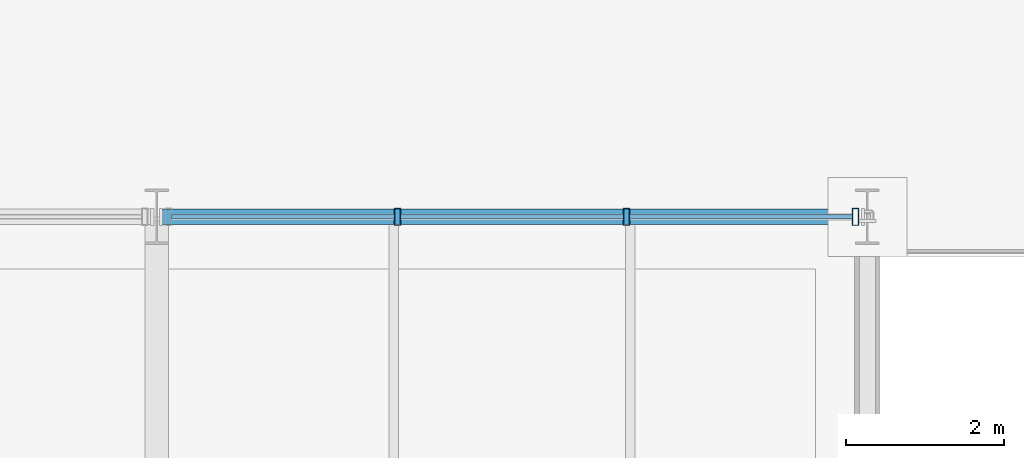
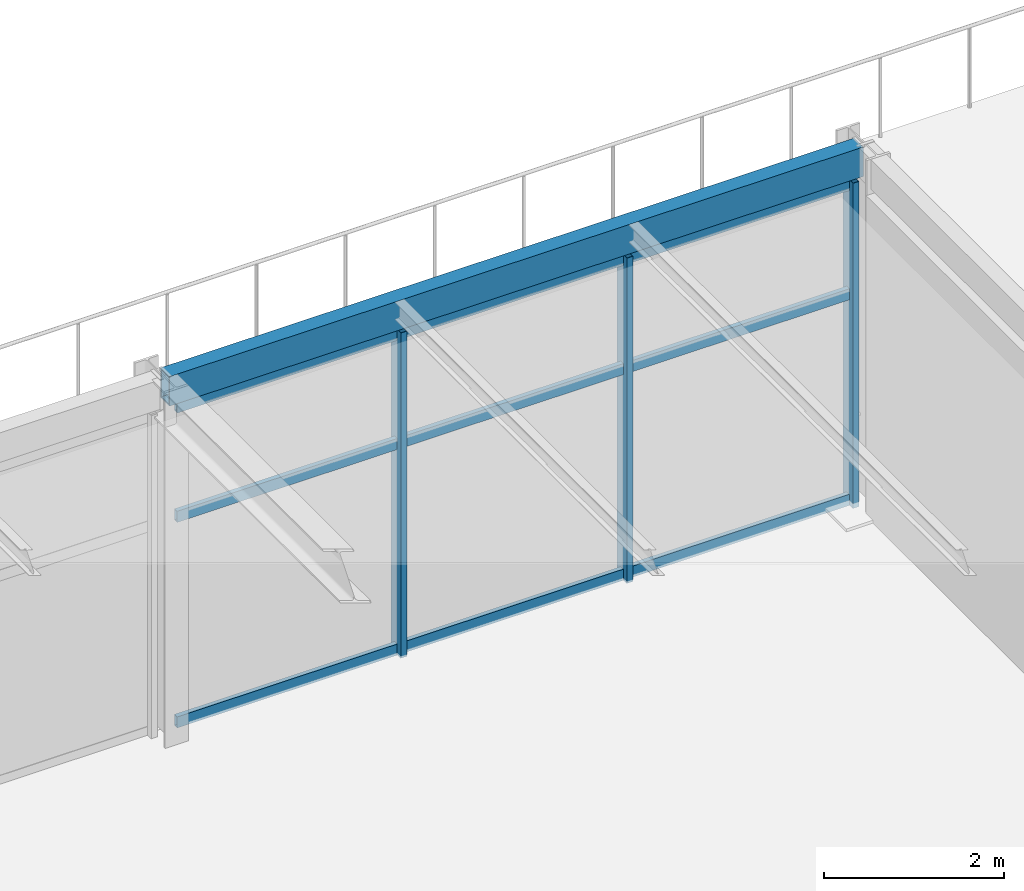
# One storey, part 68 of 143: 12 members, 1 beam, 1 element without a shape of its own.
"""IFC4 building model written with IfcOpenShell, lengths in metres."""

from ifc_helpers import new_model, si_unit, direction, frame, origin, origin_2d, place, context, subcontext, project, spatial, hollow_rectangle, extrude, material, layer, layer_set, material_profile, profile_set, type_object, element, aggregate, save


model = new_model("IFC4")

# Units and contexts
model_context = context("Model", 3, precision=1e-05, world=origin(), true_north=direction((0.0, 1.0)))
body_context = subcontext(model_context, "Body", "Model", "MODEL_VIEW")
ifc_project = project(units=[si_unit("LENGTHUNIT", "METRE"), si_unit("AREAUNIT", "SQUARE_METRE"), si_unit("VOLUMEUNIT", "CUBIC_METRE"), si_unit("PLANEANGLEUNIT", "RADIAN"), si_unit("MASSUNIT", "GRAM", prefix="KILO")], contexts=[model_context])

# Site, building, storey
site_placement = place(None, origin())
site = spatial("IfcSite", under=ifc_project, at=site_placement, CompositionType="ELEMENT")
building_placement = place(site_placement, origin())
building = spatial("IfcBuilding", under=site, at=building_placement, Name="Marlcrest Central Station", CompositionType="ELEMENT")
storey_placement = place(building_placement, frame((0.0, 0.0, 4.800048828125)))
storey = spatial("IfcBuildingStorey", under=building, at=storey_placement, Name="L01", CompositionType="ELEMENT", Elevation=4.800048828125)

# Curtain wall, members
ifc_material_1 = material(Name="Anodised aluminium and hurricane laminated glass", Category="aluminium")
ifc_layer = layer(ifc_material_1, 0.219970703125, Name="CW-U1")
ifc_layer_set = layer_set([ifc_layer], Name="Anodised aluminium and hurricane laminated glass")
curtain_wall_type = type_object("IfcCurtainWallType", Name="CW-U1", PredefinedType="USERDEFINED", material=ifc_layer_set)
curtain_wall_placement = place(storey_placement, origin())
curtain_wall = element("IfcCurtainWall", 1, at=curtain_wall_placement, inside=storey, type_object=curtain_wall_type, Name="cw-L01-0158", ObjectType="UNITISED_CURTAIN_WALL", PredefinedType="USERDEFINED")
ifc_material_2 = material(Name="Anodised aluminium 6063-T6", Category="aluminium")
ifc_material_profile_1 = material_profile(ifc_material_2, hollow_rectangle(XDim=0.080078125, YDim=0.219970703125, WallThickness=0.006103515625, at=origin_2d()), Name="AA-RHS 220x80x6")
ifc_profile_set_1 = profile_set([ifc_material_profile_1], Name="Anodised aluminium 6063-T6")
member_type_1 = type_object("IfcMemberType", Name="ML-01", PredefinedType="MULLION", material=ifc_profile_set_1)
member_1_placement = place(storey_placement, frame((75.050048828125, 132.0, -0.030029296875), z_axis=(0.0, 0.0, 1.0), x_axis=(1.0, 0.0, 0.0)))
member_1 = element("IfcMember", 2, at=member_1_placement, type_object=member_type_1, Name="cw-L01-0158-ml-1", PredefinedType="MULLION", context=body_context, shape_type="SweptSolid", body=[
    extrude(hollow_rectangle(XDim=0.080078125, YDim=0.219970703125, WallThickness=0.006103515625, at=origin_2d()), origin(), (0.0, 0.0, 1.0), 4.409912109375),
])
member_2_placement = place(storey_placement, frame((77.949951171875, 132.0, -0.030029296875), z_axis=(0.0, 0.0, 1.0), x_axis=(1.0, 0.0, 0.0)))
member_2 = element("IfcMember", 3, at=member_2_placement, type_object=member_type_1, Name="cw-L01-0158-ml-2", PredefinedType="MULLION", context=body_context, shape_type="SweptSolid", body=[
    extrude(hollow_rectangle(XDim=0.080078125, YDim=0.219970703125, WallThickness=0.006103515625, at=origin_2d()), origin(), (0.0, 0.0, 1.0), 4.409912109375),
])
member_3_placement = place(storey_placement, frame((80.85009765625, 132.0, -0.030029296875), z_axis=(0.0, 0.0, 1.0), x_axis=(1.0, 0.0, 0.0)))
member_3 = element("IfcMember", 4, at=member_3_placement, type_object=member_type_1, Name="cw-L01-0158-ml-3", PredefinedType="MULLION", context=body_context, shape_type="SweptSolid", body=[
    extrude(hollow_rectangle(XDim=0.080078125, YDim=0.219970703125, WallThickness=0.006103515625, at=origin_2d()), origin(), (0.0, 0.0, 1.0), 4.409912109375),
])

# Beam
ifc_material_3 = material(Name="Steel S355", Category="steel")
ifc_material_profile_2 = material_profile(ifc_material_3, hollow_rectangle(XDim=0.199951171875, YDim=0.39990234375, WallThickness=0.01611328125, at=origin_2d()), Name="RHS 400x200x16")
ifc_profile_set_2 = profile_set([ifc_material_profile_2], Name="Steel S355")
beam_type = type_object("IfcBeamType", Name="SP-01", PredefinedType="SPANDREL", material=ifc_profile_set_2)
beam_placement = place(storey_placement, frame((72.050048828125, 132.0, 4.619873046875), z_axis=(1.0, 0.0, 0.0), x_axis=(0.0, 1.0, 0.0)))
element("IfcBeam", 5, at=beam_placement, inside=storey, type_object=beam_type, Name="bm-SP-01-L01-00263", PredefinedType="SPANDREL", context=body_context, shape_type="SweptSolid", body=[
    extrude(hollow_rectangle(XDim=0.199951171875, YDim=0.39990234375, WallThickness=0.01611328125, at=origin_2d()), origin(), (0.0, 0.0, 1.0), 8.89990234375),
])

# Member
ifc_material_profile_3 = material_profile(ifc_material_2, hollow_rectangle(XDim=0.06005859375, YDim=0.14990234375, WallThickness=0.00390625, at=origin_2d()), Name="AA-RHS 150x60x4")
ifc_profile_set_3 = profile_set([ifc_material_profile_3], Name="Anodised aluminium 6063-T6")
member_type_2 = type_object("IfcMemberType", Name="TR-01", PredefinedType="USERDEFINED", material=ifc_profile_set_3)
member_4_placement = place(storey_placement, frame((72.18798828125, 132.0, 0.0400390625), z_axis=(1.0, 0.0, 0.0), x_axis=(0.0, 1.0, 0.0)))
member_4 = element("IfcMember", 6, at=member_4_placement, type_object=member_type_2, Name="cw-L01-0158-tr-0-sill", ObjectType="TRANSOM", PredefinedType="USERDEFINED", context=body_context, shape_type="SweptSolid", body=[
    extrude(hollow_rectangle(XDim=0.06005859375, YDim=0.14990234375, WallThickness=0.00390625, at=origin_2d()), origin(), (0.0, 0.0, 1.0), 2.823974609375),
])

member_5_placement = place(storey_placement, frame((72.18798828125, 132.0, 2.827880859375), z_axis=(1.0, 0.0, 0.0), x_axis=(0.0, 1.0, 0.0)))
member_5 = element("IfcMember", 7, at=member_5_placement, type_object=member_type_2, Name="cw-L01-0158-tr-0-mid", ObjectType="TRANSOM", PredefinedType="USERDEFINED", context=body_context, shape_type="SweptSolid", body=[
    extrude(hollow_rectangle(XDim=0.06005859375, YDim=0.14990234375, WallThickness=0.00390625, at=origin_2d()), origin(), (0.0, 0.0, 1.0), 2.823974609375),
])

member_6_placement = place(storey_placement, frame((72.18798828125, 132.0, 4.31005859375), z_axis=(1.0, 0.0, 0.0), x_axis=(0.0, 1.0, 0.0)))
member_6 = element("IfcMember", 8, at=member_6_placement, type_object=member_type_2, Name="cw-L01-0158-tr-0-head", ObjectType="TRANSOM", PredefinedType="USERDEFINED", context=body_context, shape_type="SweptSolid", body=[
    extrude(hollow_rectangle(XDim=0.06005859375, YDim=0.14990234375, WallThickness=0.00390625, at=origin_2d()), origin(), (0.0, 0.0, 1.0), 2.823974609375),
])

member_7_placement = place(storey_placement, frame((75.087890625, 132.0, 0.0400390625), z_axis=(1.0, 0.0, 0.0), x_axis=(0.0, 1.0, 0.0)))
member_7 = element("IfcMember", 9, at=member_7_placement, type_object=member_type_2, Name="cw-L01-0158-tr-1-sill", ObjectType="TRANSOM", PredefinedType="USERDEFINED", context=body_context, shape_type="SweptSolid", body=[
    extrude(hollow_rectangle(XDim=0.06005859375, YDim=0.14990234375, WallThickness=0.00390625, at=origin_2d()), origin(), (0.0, 0.0, 1.0), 2.82421875),
])

member_8_placement = place(storey_placement, frame((75.087890625, 132.0, 2.827880859375), z_axis=(1.0, 0.0, 0.0), x_axis=(0.0, 1.0, 0.0)))
member_8 = element("IfcMember", 10, at=member_8_placement, type_object=member_type_2, Name="cw-L01-0158-tr-1-mid", ObjectType="TRANSOM", PredefinedType="USERDEFINED", context=body_context, shape_type="SweptSolid", body=[
    extrude(hollow_rectangle(XDim=0.06005859375, YDim=0.14990234375, WallThickness=0.00390625, at=origin_2d()), origin(), (0.0, 0.0, 1.0), 2.82421875),
])

member_9_placement = place(storey_placement, frame((75.087890625, 132.0, 4.31005859375), z_axis=(1.0, 0.0, 0.0), x_axis=(0.0, 1.0, 0.0)))
member_9 = element("IfcMember", 11, at=member_9_placement, type_object=member_type_2, Name="cw-L01-0158-tr-1-head", ObjectType="TRANSOM", PredefinedType="USERDEFINED", context=body_context, shape_type="SweptSolid", body=[
    extrude(hollow_rectangle(XDim=0.06005859375, YDim=0.14990234375, WallThickness=0.00390625, at=origin_2d()), origin(), (0.0, 0.0, 1.0), 2.82421875),
])

member_10_placement = place(storey_placement, frame((77.988037109375, 132.0, 0.0400390625), z_axis=(1.0, 0.0, 0.0), x_axis=(0.0, 1.0, 0.0)))
member_10 = element("IfcMember", 12, at=member_10_placement, type_object=member_type_2, Name="cw-L01-0158-tr-2-sill", ObjectType="TRANSOM", PredefinedType="USERDEFINED", context=body_context, shape_type="SweptSolid", body=[
    extrude(hollow_rectangle(XDim=0.06005859375, YDim=0.14990234375, WallThickness=0.00390625, at=origin_2d()), origin(), (0.0, 0.0, 1.0), 2.823974609375),
])

member_11_placement = place(storey_placement, frame((77.988037109375, 132.0, 2.827880859375), z_axis=(1.0, 0.0, 0.0), x_axis=(0.0, 1.0, 0.0)))
member_11 = element("IfcMember", 13, at=member_11_placement, type_object=member_type_2, Name="cw-L01-0158-tr-2-mid", ObjectType="TRANSOM", PredefinedType="USERDEFINED", context=body_context, shape_type="SweptSolid", body=[
    extrude(hollow_rectangle(XDim=0.06005859375, YDim=0.14990234375, WallThickness=0.00390625, at=origin_2d()), origin(), (0.0, 0.0, 1.0), 2.823974609375),
])

member_12_placement = place(storey_placement, frame((77.988037109375, 132.0, 4.31005859375), z_axis=(1.0, 0.0, 0.0), x_axis=(0.0, 1.0, 0.0)))
member_12 = element("IfcMember", 14, at=member_12_placement, type_object=member_type_2, Name="cw-L01-0158-tr-2-head", ObjectType="TRANSOM", PredefinedType="USERDEFINED", context=body_context, shape_type="SweptSolid", body=[
    extrude(hollow_rectangle(XDim=0.06005859375, YDim=0.14990234375, WallThickness=0.00390625, at=origin_2d()), origin(), (0.0, 0.0, 1.0), 2.823974609375),
])

aggregate(curtain_wall, [member_1, member_2, member_3, member_4, member_5, member_6, member_7, member_8, member_9, member_10, member_11, member_12])

save(model, "model.ifc")
